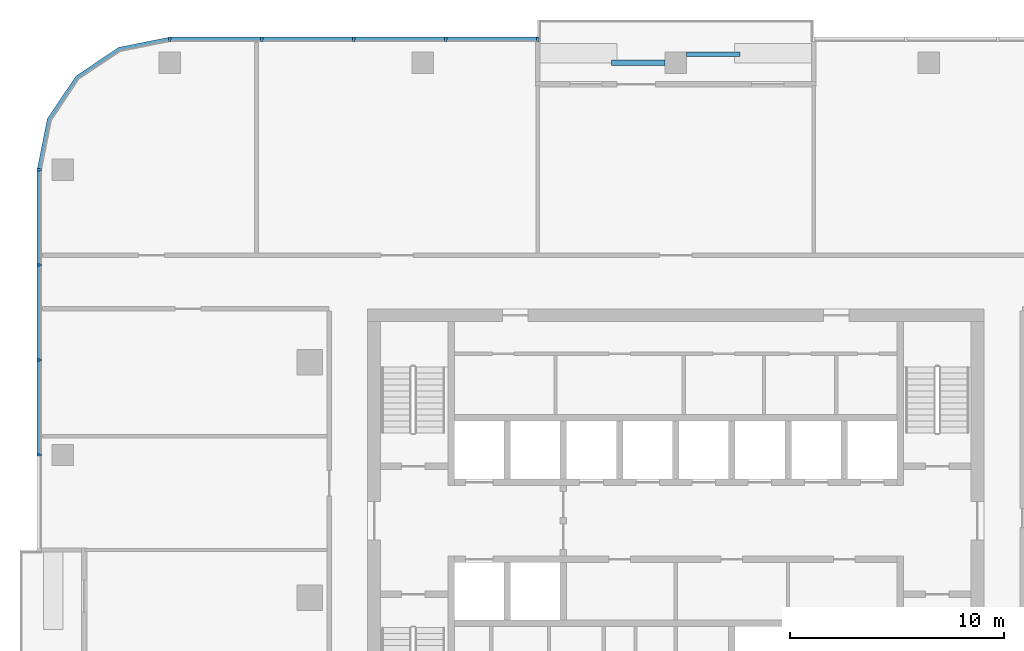
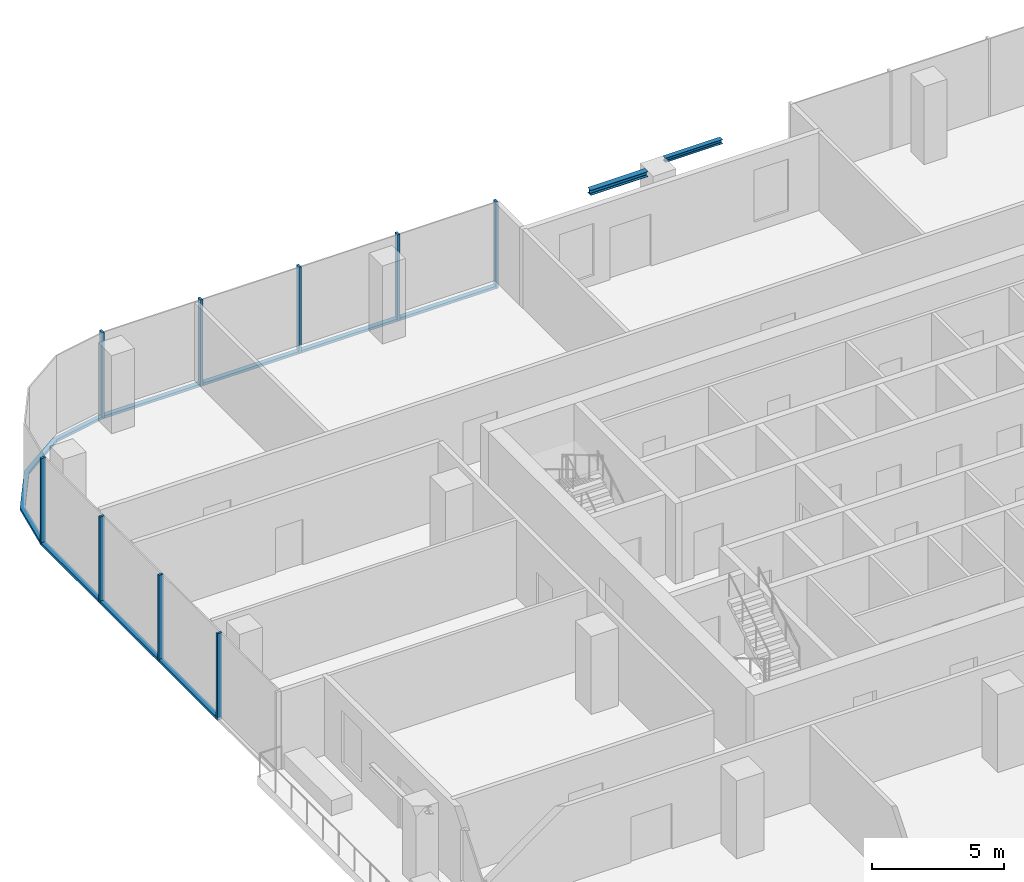
# One storey, part 4 of 13: 17 members, 2 beams, 3 elements without a shape of their own.
"""IFC4 building model written with IfcOpenShell, lengths in metres."""

import ifcopenshell
import ifcopenshell.guid

model = None  # the IFC model being written
_history = None  # IfcOwnerHistory: only IFC2X3 demands one
_inside = {}  # id of a spatial element -> (the spatial element, [elements in it])
_under = {}  # id of a project, library or spatial element -> (it, [spatial elements below it])
_declared = {}  # id of a project -> (the project, [libraries it declares])
_typed = {}  # id of a type object -> (the type object, [elements of that type])
_made_of = {}  # id of a material, layer set ... -> (it, [elements and type objects made of it])


def new_model(schema):
    """Start an empty IFC model of exactly this schema.

    Asked for "IFC4X3", IfcOpenShell would pick the latest addendum, in which some entities
    have other attributes; the version numbers below select the first issue.
    IFC2X3 requires an IfcOwnerHistory on every rooted entity: one is made here for all.
    """
    global model, _history
    if schema == "IFC4X3":
        model = ifcopenshell.file(schema_version=(4, 3, 0, 0))
    else:
        model = ifcopenshell.file(schema=schema)
    _inside.clear()
    _under.clear()
    _declared.clear()
    _typed.clear()
    _made_of.clear()
    _history = None
    if model.schema == "IFC2X3":
        org = make("IfcOrganization", Name="unknown")
        user = make(
            "IfcPersonAndOrganization",
            ThePerson=make("IfcPerson", FamilyName="unknown"),
            TheOrganization=org,
        )
        app = make(
            "IfcApplication",
            ApplicationDeveloper=org,
            Version="unknown",
            ApplicationFullName="unknown",
            ApplicationIdentifier="unknown",
        )
        _history = make(
            "IfcOwnerHistory",
            OwningUser=user,
            OwningApplication=app,
            ChangeAction="ADDED",
            CreationDate=0,
        )
    return model


def make(cls, **values):
    """One entity of the class cls with the attributes given. An attribute that is None is left unset."""
    return model.create_entity(
        cls, **{name: value for name, value in values.items() if value is not None}
    )


def rooted(cls, **values):
    """An entity with a GlobalId (a new one), such as an element, a storey or a relation."""
    return make(cls, GlobalId=ifcopenshell.guid.new(), OwnerHistory=_history, **values)


def si_unit(unit_type, name, prefix=None):
    """IfcSIUnit, for example si_unit("LENGTHUNIT", "METRE", prefix="MILLI")."""
    return make("IfcSIUnit", UnitType=unit_type, Prefix=prefix, Name=name)


def assignment(units):
    """IfcUnitAssignment: the units of a project."""
    return None if units is None else make("IfcUnitAssignment", Units=units)


def point(xyz):
    """IfcCartesianPoint."""
    return None if xyz is None else make("IfcCartesianPoint", Coordinates=xyz)


def direction(xyz):
    """IfcDirection."""
    return None if xyz is None else make("IfcDirection", DirectionRatios=xyz)


def frame(location, z_axis=None, x_axis=None):
    """IfcAxis2Placement3D, a coordinate frame: its origin and axes. An axis left out is left unset."""
    return make(
        "IfcAxis2Placement3D",
        Location=point(location),
        Axis=direction(z_axis),
        RefDirection=direction(x_axis),
    )


def frame_2d(location, x_axis=None):
    """IfcAxis2Placement2D, a coordinate frame in the plane: its origin and x axis."""
    return make(
        "IfcAxis2Placement2D", Location=point(location), RefDirection=direction(x_axis)
    )


def origin():
    """The frame at (0, 0, 0) with its axes left unset."""
    return frame((0.0, 0.0, 0.0))


def origin_2d():
    """The frame at (0, 0) in the plane with its x axis left unset."""
    return frame_2d((0.0, 0.0))


def place(relative_to, where):
    """IfcLocalPlacement: puts the frame where relative to a parent placement (None: the world)."""
    return make(
        "IfcLocalPlacement", PlacementRelTo=relative_to, RelativePlacement=where
    )


def context(
    kind, dimensions, precision=None, world=None, true_north=None, identifier=None
):
    """IfcGeometricRepresentationContext, for example the 3D "Model" context."""
    return make(
        "IfcGeometricRepresentationContext",
        ContextIdentifier=identifier,
        ContextType=kind,
        CoordinateSpaceDimension=dimensions,
        Precision=precision,
        WorldCoordinateSystem=world,
        TrueNorth=true_north,
    )


def subcontext(parent, identifier, kind, view, scale=None):
    """IfcGeometricRepresentationSubContext, for example "Body" below "Model"."""
    return make(
        "IfcGeometricRepresentationSubContext",
        ContextIdentifier=identifier,
        ContextType=kind,
        ParentContext=parent,
        TargetScale=scale,
        TargetView=view,
    )


def project(units=None, contexts=None):
    """IfcProject with its units and contexts."""
    return rooted(
        "IfcProject",
        Name="project",
        RepresentationContexts=contexts,
        UnitsInContext=assignment(units),
    )


def spatial(cls, under=None, at=None, **own):
    """A site, building, storey or space (cls), placed at a placement, below another one or the project."""
    s = rooted(cls, ObjectPlacement=at, **own)
    if under is not None:
        _under.setdefault(under.id(), (under, []))[1].append(s)
    return s


def polyline(points):
    """IfcPolyline through the points."""
    return make("IfcPolyline", Points=[point(p) for p in points])


def profile(cls, at=None, kind="AREA", **sizes):
    """A parametric profile (cls). Its sizes go by their IFC names, for example OverallWidth=200.0."""
    return make(cls, ProfileType=kind, Position=at, **sizes)


def rectangle(**sizes):
    """IfcRectangleProfileDef."""
    return profile("IfcRectangleProfileDef", **sizes)


def i_section(**sizes):
    """IfcIShapeProfileDef."""
    return profile("IfcIShapeProfileDef", **sizes)


def outline(outer, holes=None, kind="AREA"):
    """IfcArbitraryClosedProfileDef: a profile drawn as a closed curve; with holes, ...WithVoids."""
    if holes is None:
        return make("IfcArbitraryClosedProfileDef", ProfileType=kind, OuterCurve=outer)
    return make(
        "IfcArbitraryProfileDefWithVoids",
        ProfileType=kind,
        OuterCurve=outer,
        InnerCurves=holes,
    )


def extrude(swept, where, along, depth):
    """IfcExtrudedAreaSolid: the profile swept, set in the frame where, extruded along a direction by depth."""
    return make(
        "IfcExtrudedAreaSolid",
        SweptArea=swept,
        Position=where,
        ExtrudedDirection=direction(along),
        Depth=depth,
    )


def shape(context_of_items, identifier, shape_type, items):
    """IfcShapeRepresentation: the items that make up one representation, for example the "Body"."""
    return make(
        "IfcShapeRepresentation",
        ContextOfItems=context_of_items,
        RepresentationIdentifier=identifier,
        RepresentationType=shape_type,
        Items=items,
    )


def material(Name=None, Category=None):
    """IfcMaterial."""
    return make("IfcMaterial", Name=Name, Category=Category)


def material_profile(
    of_material, cross_section, Name=None, Category=None, Priority=None
):
    """IfcMaterialProfile: a cross section and its material."""
    return make(
        "IfcMaterialProfile",
        Name=Name,
        Material=of_material,
        Profile=cross_section,
        Priority=Priority,
        Category=Category,
    )


def profile_set(profiles, Name=None, composite=None):
    """IfcMaterialProfileSet."""
    return make(
        "IfcMaterialProfileSet",
        Name=Name,
        MaterialProfiles=profiles,
        CompositeProfile=composite,
    )


def made_of(thing, what):
    """Note that an element or type object is made of a material, layer set ...; save() writes the relation."""
    if what is not None:
        _made_of.setdefault(what.id(), (what, []))[1].append(thing)
    return thing


def type_object(cls, material=None, **own):
    """A type object (cls), such as IfcWallType, which elements share."""
    return made_of(rooted(cls, **own), material)


def element(
    cls,
    number,
    at=None,
    inside=None,
    cuts=None,
    type_object=None,
    material=None,
    context=None,
    identifier="Body",
    shape_type=None,
    held_by="IfcProductDefinitionShape",
    body=None,
    shapes=None,
    **own,
):
    """One element of the class cls, such as IfcWall. Its Tag is "e" and its number.

    at: its placement. inside: the storey or other place that contains it. cuts: it is an
    opening in that element (IfcRelVoidsElement). A single representation is given by context,
    identifier, shape_type and body (its items); several are given by shapes. held_by: the class
    of the entity that holds the representations. save() writes the other relations.
    """
    e = rooted(cls, Tag="e%d" % number, ObjectPlacement=at, **own)
    if body is not None:
        shapes = [shape(context, identifier, shape_type, body)]
    if shapes is not None:
        e.Representation = make(held_by, Representations=shapes)
    if inside is not None:
        _inside.setdefault(inside.id(), (inside, []))[1].append(e)
    if cuts is not None:
        rooted(
            "IfcRelVoidsElement", RelatingBuildingElement=cuts, RelatedOpeningElement=e
        )
    if type_object is not None:
        _typed.setdefault(type_object.id(), (type_object, []))[1].append(e)
    return made_of(e, material)


def aggregate(whole, parts):
    """IfcRelAggregates: a whole, such as a stair, and the parts it consists of."""
    return rooted("IfcRelAggregates", RelatingObject=whole, RelatedObjects=parts)


def save(model, path):
    """Write the relations noted so far, then the file.

    IfcRelAggregates (storeys below a building ...), IfcRelContainedInSpatialStructure (elements
    in a storey), IfcRelDefinesByType, IfcRelAssociatesMaterial and IfcRelDeclares: one each for
    every whole, place, type object, material and project.
    """
    for whole, parts in _under.values():
        aggregate(whole, parts)
    for where, things in _inside.values():
        rooted(
            "IfcRelContainedInSpatialStructure",
            RelatedElements=things,
            RelatingStructure=where,
        )
    for kind, things in _typed.values():
        rooted("IfcRelDefinesByType", RelatedObjects=things, RelatingType=kind)
    for what, things in _made_of.values():
        rooted("IfcRelAssociatesMaterial", RelatedObjects=things, RelatingMaterial=what)
    for by, libraries in _declared.values():
        rooted("IfcRelDeclares", RelatingContext=by, RelatedDefinitions=libraries)
    model.write(path)


model = new_model("IFC4")

# Units and contexts
model_context = context("Model", 3, precision=1e-05, world=origin(), true_north=direction((0.0, 1.0)))
body_context = subcontext(model_context, "Body", "Model", "MODEL_VIEW")
ifc_project = project(units=[si_unit("LENGTHUNIT", "METRE"), si_unit("AREAUNIT", "SQUARE_METRE"), si_unit("VOLUMEUNIT", "CUBIC_METRE"), si_unit("PLANEANGLEUNIT", "RADIAN"), si_unit("MASSUNIT", "GRAM", prefix="KILO")], contexts=[model_context])

# Site, building, storey
site_placement = place(None, origin())
site = spatial("IfcSite", under=ifc_project, at=site_placement, CompositionType="ELEMENT")
building_placement = place(site_placement, origin())
building = spatial("IfcBuilding", under=site, at=building_placement, Name="Mopane Tessera Tower", CompositionType="ELEMENT")
storey_placement = place(building_placement, frame((0.0, 0.0, 271.39990234375)))
storey = spatial("IfcBuildingStorey", under=building, at=storey_placement, Name="L58", CompositionType="ELEMENT", Elevation=271.39990234375)

# Curtain wall, members
ifc_material_1 = material(Name="Aluminium frame", Category="aluminium")
curtain_wall_type = type_object("IfcCurtainWallType", Name="Unitised curtain wall", PredefinedType="NOTDEFINED", material=ifc_material_1)
curtain_wall_1_placement = place(storey_placement, origin())
curtain_wall_1 = element("IfcCurtainWall", 1, at=curtain_wall_1_placement, inside=storey, type_object=curtain_wall_type, Name="e:cw:L58:N:7", PredefinedType="NOTDEFINED")
ifc_material_2 = material(Name="Aluminium frame", Category="aluminium")
ifc_material_profile_1 = material_profile(ifc_material_2, rectangle(XDim=0.10009765625, YDim=0.199951171875, at=origin_2d()))
ifc_profile_set_1 = profile_set([ifc_material_profile_1], Name="Aluminium frame")
member_type_1 = type_object("IfcMemberType", Name="Aluminium mullion 100 x 200", PredefinedType="MULLION", material=ifc_profile_set_1)
member_1_placement = place(storey_placement, frame((-6.449951171875, 26.10009765625, -0.39990234375), z_axis=(0.0, 0.0, 1.0), x_axis=(-1.0, 0.0, 0.0)))
member_1 = element("IfcMember", 2, at=member_1_placement, type_object=member_type_1, Name="e:cw:L58:N:7:mu7", PredefinedType="MULLION", context=body_context, shape_type="SweptSolid", body=[
    extrude(rectangle(XDim=0.10009765625, YDim=0.199951171875, at=origin_2d()), origin(), (0.0, 0.0, 1.0), 4.0),
])
member_2_placement = place(storey_placement, frame((-10.75, 26.10009765625, -0.39990234375), z_axis=(0.0, 0.0, 1.0), x_axis=(-1.0, 0.0, 0.0)))
member_2 = element("IfcMember", 3, at=member_2_placement, type_object=member_type_1, Name="e:cw:L58:N:7:mu8", PredefinedType="MULLION", context=body_context, shape_type="SweptSolid", body=[
    extrude(rectangle(XDim=0.10009765625, YDim=0.199951171875, at=origin_2d()), origin(), (0.0, 0.0, 1.0), 4.0),
])
member_3_placement = place(storey_placement, frame((-15.050048828125, 26.10009765625, -0.39990234375), z_axis=(0.0, 0.0, 1.0), x_axis=(-1.0, 0.0, 0.0)))
member_3 = element("IfcMember", 4, at=member_3_placement, type_object=member_type_1, Name="e:cw:L58:N:7:mu9", PredefinedType="MULLION", context=body_context, shape_type="SweptSolid", body=[
    extrude(rectangle(XDim=0.10009765625, YDim=0.199951171875, at=origin_2d()), origin(), (0.0, 0.0, 1.0), 4.0),
])
member_4_placement = place(storey_placement, frame((-19.35009765625, 26.10009765625, -0.39990234375), z_axis=(0.0, 0.0, 1.0), x_axis=(-1.0, 0.0, 0.0)))
member_4 = element("IfcMember", 5, at=member_4_placement, type_object=member_type_1, Name="e:cw:L58:N:7:mu10", PredefinedType="MULLION", context=body_context, shape_type="SweptSolid", body=[
    extrude(rectangle(XDim=0.10009765625, YDim=0.199951171875, at=origin_2d()), origin(), (0.0, 0.0, 1.0), 4.0),
])
member_5_placement = place(storey_placement, frame((-23.64990234375, 26.10009765625, -0.39990234375), z_axis=(0.0, 0.0, 1.0), x_axis=(-1.0, 0.0, 0.0)))
member_5 = element("IfcMember", 6, at=member_5_placement, type_object=member_type_1, Name="e:cw:L58:N:7:mu11", PredefinedType="MULLION", context=body_context, shape_type="SweptSolid", body=[
    extrude(rectangle(XDim=0.10009765625, YDim=0.199951171875, at=origin_2d()), origin(), (0.0, 0.0, 1.0), 4.0),
])

curtain_wall_2_placement = place(storey_placement, origin())
curtain_wall_2 = element("IfcCurtainWall", 7, at=curtain_wall_2_placement, inside=storey, type_object=curtain_wall_type, Name="e:cw:L58:W:0", PredefinedType="NOTDEFINED")
member_6_placement = place(storey_placement, frame((-29.75, 20.0, -0.39990234375), z_axis=(0.0, 0.0, 1.0), x_axis=(0.0, -1.0, 0.0)))
member_6 = element("IfcMember", 8, at=member_6_placement, type_object=member_type_1, Name="e:cw:L58:W:0:mu0", PredefinedType="MULLION", context=body_context, shape_type="SweptSolid", body=[
    extrude(rectangle(XDim=0.10009765625, YDim=0.199951171875, at=origin_2d()), origin(), (0.0, 0.0, 1.0), 4.0),
])
member_7_placement = place(storey_placement, frame((-29.75, 15.5556640625, -0.39990234375), z_axis=(0.0, 0.0, 1.0), x_axis=(0.0, -1.0, 0.0)))
member_7 = element("IfcMember", 9, at=member_7_placement, type_object=member_type_1, Name="e:cw:L58:W:0:mu1", PredefinedType="MULLION", context=body_context, shape_type="SweptSolid", body=[
    extrude(rectangle(XDim=0.10009765625, YDim=0.199951171875, at=origin_2d()), origin(), (0.0, 0.0, 1.0), 4.0),
])
member_8_placement = place(storey_placement, frame((-29.75, 11.111083984375, -0.39990234375), z_axis=(0.0, 0.0, 1.0), x_axis=(0.0, -1.0, 0.0)))
member_8 = element("IfcMember", 10, at=member_8_placement, type_object=member_type_1, Name="e:cw:L58:W:0:mu2", PredefinedType="MULLION", context=body_context, shape_type="SweptSolid", body=[
    extrude(rectangle(XDim=0.10009765625, YDim=0.199951171875, at=origin_2d()), origin(), (0.0, 0.0, 1.0), 4.0),
])
member_9_placement = place(storey_placement, frame((-29.75, 6.666748046875, -0.39990234375), z_axis=(0.0, 0.0, 1.0), x_axis=(0.0, -1.0, 0.0)))
member_9 = element("IfcMember", 11, at=member_9_placement, type_object=member_type_1, Name="e:cw:L58:W:0:mu3", PredefinedType="MULLION", context=body_context, shape_type="SweptSolid", body=[
    extrude(rectangle(XDim=0.10009765625, YDim=0.199951171875, at=origin_2d()), origin(), (0.0, 0.0, 1.0), 4.0),
])

# Member
ifc_material_3 = material(Name="Aluminium frame", Category="aluminium")
ifc_material_profile_2 = material_profile(ifc_material_3, rectangle(XDim=0.199951171875, YDim=0.1201171875, at=origin_2d()))
ifc_profile_set_2 = profile_set([ifc_material_profile_2], Name="Aluminium frame")
member_type_2 = type_object("IfcMemberType", Name="Aluminium transom 200 x 120", PredefinedType="USERDEFINED", material=ifc_profile_set_2)
member_10_placement = place(storey_placement, frame((-6.5, 26.10009765625, -0.33984375), z_axis=(-1.0, 0.0, 0.0), x_axis=(0.0, -1.0, 0.0)))
member_10 = element("IfcMember", 12, at=member_10_placement, type_object=member_type_2, Name="e:cw:L58:N:7:tr7", ObjectType="TRANSOM", PredefinedType="USERDEFINED", context=body_context, shape_type="SweptSolid", body=[
    extrude(rectangle(XDim=0.199951171875, YDim=0.1201171875, at=origin_2d()), origin(), (0.0, 0.0, 1.0), 4.199951171875),
])

member_11_placement = place(storey_placement, frame((-10.800048828125, 26.10009765625, -0.33984375), z_axis=(-1.0, 0.0, 0.0), x_axis=(0.0, -1.0, 0.0)))
member_11 = element("IfcMember", 13, at=member_11_placement, type_object=member_type_2, Name="e:cw:L58:N:7:tr8", ObjectType="TRANSOM", PredefinedType="USERDEFINED", context=body_context, shape_type="SweptSolid", body=[
    extrude(rectangle(XDim=0.199951171875, YDim=0.1201171875, at=origin_2d()), origin(), (0.0, 0.0, 1.0), 4.199951171875),
])

member_12_placement = place(storey_placement, frame((-15.10009765625, 26.10009765625, -0.33984375), z_axis=(-1.0, 0.0, 0.0), x_axis=(0.0, -1.0, 0.0)))
member_12 = element("IfcMember", 14, at=member_12_placement, type_object=member_type_2, Name="e:cw:L58:N:7:tr9", ObjectType="TRANSOM", PredefinedType="USERDEFINED", context=body_context, shape_type="SweptSolid", body=[
    extrude(rectangle(XDim=0.199951171875, YDim=0.1201171875, at=origin_2d()), origin(), (0.0, 0.0, 1.0), 4.199951171875),
])

member_13_placement = place(storey_placement, frame((-19.39990234375, 26.10009765625, -0.33984375), z_axis=(-1.0, 0.0, 0.0), x_axis=(0.0, -1.0, 0.0)))
member_13 = element("IfcMember", 15, at=member_13_placement, type_object=member_type_2, Name="e:cw:L58:N:7:tr10", ObjectType="TRANSOM", PredefinedType="USERDEFINED", context=body_context, shape_type="SweptSolid", body=[
    extrude(rectangle(XDim=0.199951171875, YDim=0.1201171875, at=origin_2d()), origin(), (0.0, 0.0, 1.0), 4.2001953125),
])

aggregate(curtain_wall_1, [member_1, member_2, member_3, member_4, member_5, member_10, member_11, member_12, member_13])

# Curtain wall, member
curtain_wall_3_placement = place(storey_placement, origin())
curtain_wall_3 = element("IfcCurtainWall", 16, at=curtain_wall_3_placement, inside=storey, type_object=curtain_wall_type, Name="e:cw:L58:CN", PredefinedType="NOTDEFINED")
member_14_placement = place(storey_placement, frame((0.0, 0.0, -0.39990234375)))
member_14 = element("IfcMember", 17, at=member_14_placement, type_object=member_type_2, Name="e:cw:L58:CN:tr", ObjectType="TRANSOM", PredefinedType="USERDEFINED", context=body_context, shape_type="SweptSolid", body=[
    extrude(outline(polyline([(-23.64990234375, 26.0), (-25.946044921875, 25.543212890625), (-27.892578125, 24.24267578125), (-29.193359375, 22.296142578125), (-29.64990234375, 20.0), (-29.85009765625, 20.0), (-29.378173828125, 22.37255859375), (-28.0341796875, 24.384033203125), (-26.022705078125, 25.72802734375), (-23.64990234375, 26.199951171875), (-23.64990234375, 26.0)])), origin(), (0.0, 0.0, 1.0), 0.1201171875),
])
aggregate(curtain_wall_3, [member_14])

# Member
member_15_placement = place(storey_placement, frame((-29.75, 19.949951171875, -0.33984375), z_axis=(0.0, -1.0, 0.0), x_axis=(1.0, 0.0, 0.0)))
member_15 = element("IfcMember", 18, at=member_15_placement, type_object=member_type_2, Name="e:cw:L58:W:0:tr0", ObjectType="TRANSOM", PredefinedType="USERDEFINED", context=body_context, shape_type="SweptSolid", body=[
    extrude(rectangle(XDim=0.199951171875, YDim=0.1201171875, at=origin_2d()), origin(), (0.0, 0.0, 1.0), 4.344482421875),
])

member_16_placement = place(storey_placement, frame((-29.75, 15.505615234375, -0.33984375), z_axis=(0.0, -1.0, 0.0), x_axis=(1.0, 0.0, 0.0)))
member_16 = element("IfcMember", 19, at=member_16_placement, type_object=member_type_2, Name="e:cw:L58:W:0:tr1", ObjectType="TRANSOM", PredefinedType="USERDEFINED", context=body_context, shape_type="SweptSolid", body=[
    extrude(rectangle(XDim=0.199951171875, YDim=0.1201171875, at=origin_2d()), origin(), (0.0, 0.0, 1.0), 4.344482421875),
])

member_17_placement = place(storey_placement, frame((-29.75, 11.06103515625, -0.33984375), z_axis=(0.0, -1.0, 0.0), x_axis=(1.0, 0.0, 0.0)))
member_17 = element("IfcMember", 20, at=member_17_placement, type_object=member_type_2, Name="e:cw:L58:W:0:tr2", ObjectType="TRANSOM", PredefinedType="USERDEFINED", context=body_context, shape_type="SweptSolid", body=[
    extrude(rectangle(XDim=0.199951171875, YDim=0.1201171875, at=origin_2d()), origin(), (0.0, 0.0, 1.0), 4.344482421875),
])

aggregate(curtain_wall_2, [member_6, member_7, member_8, member_9, member_15, member_16, member_17])

# Beams
ifc_material_4 = material(Name="Structural steel S460", Category="steel")
ifc_material_profile_3 = material_profile(ifc_material_4, i_section(OverallWidth=0.239990234375, OverallDepth=0.239990234375, WebThickness=0.010009765625, FlangeThickness=0.01708984375, FilletRadius=0.02099609375, at=origin_2d()))
ifc_profile_set_3 = profile_set([ifc_material_profile_3], Name="Structural steel S460")
beam_type_1 = type_object("IfcBeamType", Name="Terrace spandrel beam HE 240 B", PredefinedType="SPANDREL", material=ifc_profile_set_3)
beam_1_placement = place(storey_placement, frame((-0.5029296875, 25.0, 3.47998046875), z_axis=(-1.0, 0.0, 0.0), x_axis=(0.0, -1.0, 0.0)))
element("IfcBeam", 21, at=beam_1_placement, inside=storey, type_object=beam_type_1, Name="Terrace spandrel beam N2 L59", PredefinedType="SPANDREL", context=body_context, shape_type="SweptSolid", body=[
    extrude(i_section(OverallWidth=0.239990234375, OverallDepth=0.239990234375, WebThickness=0.010009765625, FlangeThickness=0.01708984375, FilletRadius=0.02099609375, at=origin_2d()), origin(), (0.0, 0.0, 1.0), 2.5),
])
ifc_material_5 = material(Name="Structural steel S460", Category="steel")
ifc_material_profile_4 = material_profile(ifc_material_5, i_section(OverallWidth=0.199951171875, OverallDepth=0.199951171875, WebThickness=0.009033203125, FlangeThickness=0.014892578125, FilletRadius=0.01806640625, at=origin_2d()))
ifc_profile_set_4 = profile_set([ifc_material_profile_4], Name="Structural steel S460")
beam_type_2 = type_object("IfcBeamType", Name="Terrace trimmer beam HE 200 B", PredefinedType="BEAM", material=ifc_profile_set_4)
beam_2_placement = place(storey_placement, frame((0.5029296875, 25.39990234375, 3.5), z_axis=(1.0, 0.0, 0.0), x_axis=(0.0, 1.0, 0.0)))
element("IfcBeam", 22, at=beam_2_placement, inside=storey, type_object=beam_type_2, Name="Terrace trimmer beam N2 L59", PredefinedType="BEAM", context=body_context, shape_type="SweptSolid", body=[
    extrude(i_section(OverallWidth=0.199951171875, OverallDepth=0.199951171875, WebThickness=0.009033203125, FlangeThickness=0.014892578125, FilletRadius=0.01806640625, at=origin_2d()), origin(), (0.0, 0.0, 1.0), 2.5),
])

save(model, "model.ifc")
